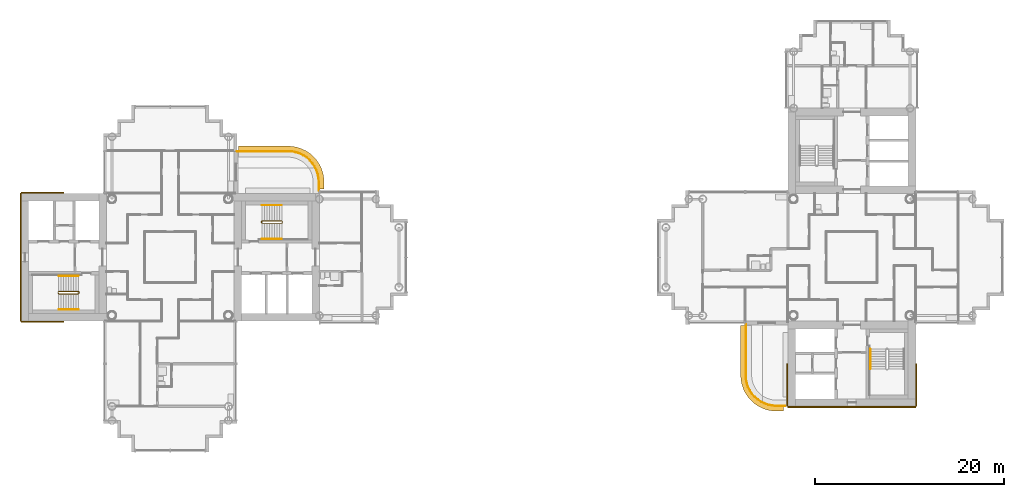
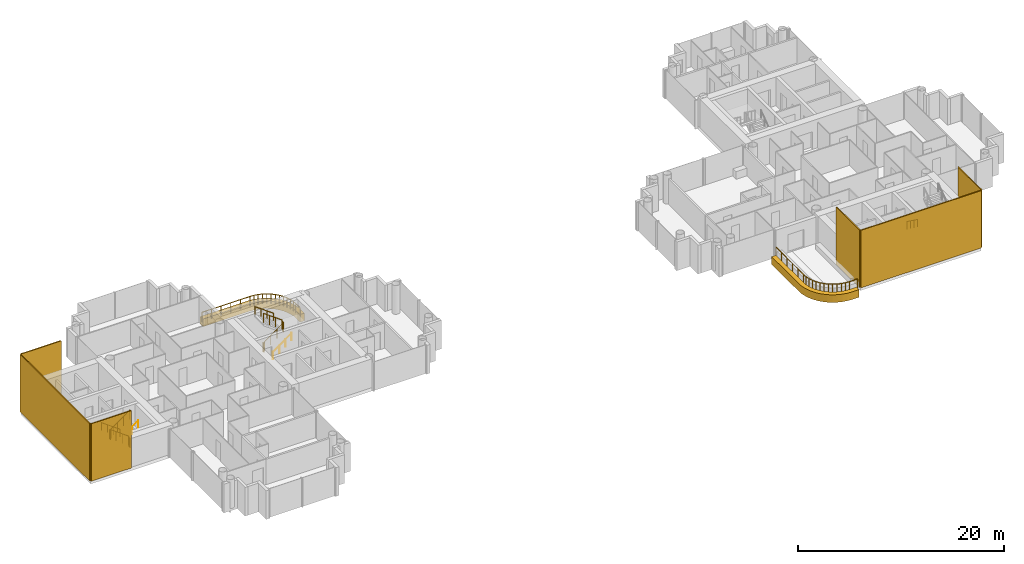
# One storey, part 17 of 19: 9 railings, 8 coverings.
"""IFC4 building model written with IfcOpenShell, lengths in metres."""

from ifc_helpers import new_model, si_unit, direction, frame, origin, origin_2d, place, context, subcontext, project, spatial, polyline, rectangle, circle, outline, extrude, material, layer, layer_set, type_object, element, save


model = new_model("IFC4")

# Units and contexts
model_context = context("Model", 3, precision=1e-05, world=origin(), true_north=direction((0.0, 1.0)))
body_context = subcontext(model_context, "Body", "Model", "MODEL_VIEW")
ifc_project = project(units=[si_unit("LENGTHUNIT", "METRE"), si_unit("AREAUNIT", "SQUARE_METRE"), si_unit("VOLUMEUNIT", "CUBIC_METRE"), si_unit("PLANEANGLEUNIT", "RADIAN"), si_unit("MASSUNIT", "GRAM", prefix="KILO")], contexts=[model_context])

# Site, building, storey
site_placement = place(None, origin())
site = spatial("IfcSite", under=ifc_project, at=site_placement, CompositionType="ELEMENT")
building_placement = place(site_placement, origin())
building = spatial("IfcBuilding", under=site, at=building_placement, Name="Ipe Terrace Towers", CompositionType="ELEMENT")
storey_placement = place(building_placement, frame((0.0, 0.0, 147.300048828125)))
storey = spatial("IfcBuildingStorey", under=building, at=storey_placement, Name="L40", CompositionType="ELEMENT", Elevation=147.300048828125)

# Railings
ifc_material_1 = material(Name="Stainless steel S316", Category="steel")
railing_type_1 = type_object("IfcRailingType", Name="GUARD 1100", PredefinedType="BALUSTRADE", material=ifc_material_1)
railing_1_placement = place(storey_placement, frame((-20.300048828125, 7.070068359375, -0.02001953125)))
element("IfcRailing", 1, at=railing_1_placement, inside=storey, type_object=railing_type_1, Name="guard", PredefinedType="BALUSTRADE", context=body_context, shape_type="SweptSolid", body=[
    extrude(circle(Radius=0.02392578125, at=origin_2d()), frame((0.0, 0.0, 1.076171875), z_axis=(0.0, 1.0, 0.0), x_axis=(-1.0, 0.0, 0.0)), (0.0, 0.0, 1.0), 0.8779296875),
    extrude(circle(Radius=0.02392578125, at=origin_2d()), frame((0.0, 0.8779296875, 1.076171875), z_axis=(-0.065190546171, 0.997872833927, 0.0), x_axis=(-0.997872833927, -0.065190546171, 0.0)), (0.0, 0.0, 1.0), 0.427001953125),
    extrude(circle(Radius=0.02392578125, at=origin_2d()), frame((-0.02783203125, 1.303955078125, 1.076171875), z_axis=(-0.195232649896, 0.980756958892, 0.0), x_axis=(-0.980756958892, -0.195232649896, 0.0)), (0.0, 0.0, 1.0), 0.42529296875),
    extrude(circle(Radius=0.02392578125, at=origin_2d()), frame((-0.11083984375, 1.720947265625, 1.076171875), z_axis=(-0.320184280026, 0.947355280148, 0.0), x_axis=(-0.947355280148, -0.320184280026, 0.0)), (0.0, 0.0, 1.0), 0.425537109375),
    extrude(circle(Radius=0.02392578125, at=origin_2d()), frame((-0.2470703125, 2.1240234375, 1.076171875), z_axis=(-0.444455160923, 0.895801099535, 0.0), x_axis=(-0.895801099535, -0.444455160923, 0.0)), (0.0, 0.0, 1.0), 0.425048828125),
    extrude(circle(Radius=0.02392578125, at=origin_2d()), frame((-0.43603515625, 2.5048828125, 1.076171875), z_axis=(-0.55549616226, 0.83151910003, 0.0), x_axis=(-0.83151910003, -0.55549616226, 0.0)), (0.0, 0.0, 1.0), 0.424560546875),
    extrude(circle(Radius=0.02392578125, at=origin_2d()), frame((-0.671875, 2.85791015625, 1.076171875), z_axis=(-0.658463964434, 0.752612255774, 0.0), x_axis=(-0.752612255774, -0.658463964434, 0.0)), (0.0, 0.0, 1.0), 0.42529296875),
    extrude(circle(Radius=0.02392578125, at=origin_2d()), frame((-0.951904296875, 3.177978515625, 1.076171875), z_axis=(-0.752612255774, 0.658463964434, 0.0), x_axis=(-0.658463964434, -0.752612255774, 0.0)), (0.0, 0.0, 1.0), 0.42529296875),
    extrude(circle(Radius=0.02392578125, at=origin_2d()), frame((-1.27197265625, 3.4580078125, 1.076171875), z_axis=(-0.83151910003, 0.55549616226, 0.0), x_axis=(-0.55549616226, -0.83151910003, 0.0)), (0.0, 0.0, 1.0), 0.424560546875),
    extrude(circle(Radius=0.02392578125, at=origin_2d()), frame((-1.625, 3.69384765625, 1.076171875), z_axis=(-0.895801099535, 0.444455160923, 0.0), x_axis=(-0.444455160923, -0.895801099535, 0.0)), (0.0, 0.0, 1.0), 0.425048828125),
    extrude(circle(Radius=0.02392578125, at=origin_2d()), frame((-2.005859375, 3.8828125, 1.076171875), z_axis=(-0.947355280148, 0.320184280026, 0.0), x_axis=(-0.320184280026, -0.947355280148, 0.0)), (0.0, 0.0, 1.0), 0.425537109375),
    extrude(circle(Radius=0.02392578125, at=origin_2d()), frame((-2.408935546875, 4.01904296875, 1.076171875), z_axis=(-0.980756958892, 0.195232649896, 0.0), x_axis=(-0.195232649896, -0.980756958892, 0.0)), (0.0, 0.0, 1.0), 0.42529296875),
    extrude(circle(Radius=0.02392578125, at=origin_2d()), frame((-2.825927734375, 4.10205078125, 1.076171875), z_axis=(-0.997872833927, 0.065190546171, 0.0), x_axis=(-0.065190546171, -0.997872833927, 0.0)), (0.0, 0.0, 1.0), 0.427001953125),
    extrude(circle(Radius=0.02392578125, at=origin_2d()), frame((-3.251953125, 4.1298828125, 1.076171875), z_axis=(-1.0, 0.0, 0.0), x_axis=(0.0, -1.0, 0.0)), (0.0, 0.0, 1.0), 5.3779296875),
    extrude(circle(Radius=0.02099609375, at=origin_2d()), origin(), (0.0, 0.0, 1.0), 1.052001953125),
    extrude(circle(Radius=0.02099609375, at=origin_2d()), frame((0.0, 0.8779296875, 0.0)), (0.0, 0.0, 1.0), 1.052001953125),
    extrude(circle(Radius=0.02099609375, at=origin_2d()), frame((-0.02783203125, 1.303955078125, 0.0)), (0.0, 0.0, 1.0), 1.052001953125),
    extrude(circle(Radius=0.02099609375, at=origin_2d()), frame((-0.11083984375, 1.720947265625, 0.0)), (0.0, 0.0, 1.0), 1.052001953125),
    extrude(circle(Radius=0.02099609375, at=origin_2d()), frame((-0.2470703125, 2.1240234375, 0.0)), (0.0, 0.0, 1.0), 1.052001953125),
    extrude(circle(Radius=0.02099609375, at=origin_2d()), frame((-0.43603515625, 2.5048828125, 0.0)), (0.0, 0.0, 1.0), 1.052001953125),
    extrude(circle(Radius=0.02099609375, at=origin_2d()), frame((-0.671875, 2.85791015625, 0.0)), (0.0, 0.0, 1.0), 1.052001953125),
    extrude(circle(Radius=0.02099609375, at=origin_2d()), frame((-0.951904296875, 3.177978515625, 0.0)), (0.0, 0.0, 1.0), 1.052001953125),
    extrude(circle(Radius=0.02099609375, at=origin_2d()), frame((-1.27197265625, 3.4580078125, 0.0)), (0.0, 0.0, 1.0), 1.052001953125),
    extrude(circle(Radius=0.02099609375, at=origin_2d()), frame((-1.625, 3.69384765625, 0.0)), (0.0, 0.0, 1.0), 1.052001953125),
    extrude(circle(Radius=0.02099609375, at=origin_2d()), frame((-2.005859375, 3.8828125, 0.0)), (0.0, 0.0, 1.0), 1.052001953125),
    extrude(circle(Radius=0.02099609375, at=origin_2d()), frame((-2.408935546875, 4.01904296875, 0.0)), (0.0, 0.0, 1.0), 1.052001953125),
    extrude(circle(Radius=0.02099609375, at=origin_2d()), frame((-2.825927734375, 4.10205078125, 0.0)), (0.0, 0.0, 1.0), 1.052001953125),
    extrude(circle(Radius=0.02099609375, at=origin_2d()), frame((-3.251953125, 4.1298828125, 0.0)), (0.0, 0.0, 1.0), 1.052001953125),
    extrude(circle(Radius=0.02099609375, at=origin_2d()), frame((-4.32763671875, 4.1298828125, 0.0)), (0.0, 0.0, 1.0), 1.052001953125),
    extrude(circle(Radius=0.02099609375, at=origin_2d()), frame((-5.403076171875, 4.1298828125, 0.0)), (0.0, 0.0, 1.0), 1.052001953125),
    extrude(circle(Radius=0.02099609375, at=origin_2d()), frame((-6.478759765625, 4.1298828125, 0.0)), (0.0, 0.0, 1.0), 1.052001953125),
    extrude(circle(Radius=0.02099609375, at=origin_2d()), frame((-7.55419921875, 4.1298828125, 0.0)), (0.0, 0.0, 1.0), 1.052001953125),
    extrude(circle(Radius=0.02099609375, at=origin_2d()), frame((-8.6298828125, 4.1298828125, 0.0)), (0.0, 0.0, 1.0), 1.052001953125),
])
railing_2_placement = place(storey_placement, frame((24.800048828125, -7.070068359375, -0.02001953125)))
element("IfcRailing", 2, at=railing_2_placement, inside=storey, type_object=railing_type_1, Name="guard", PredefinedType="BALUSTRADE", context=body_context, shape_type="SweptSolid", body=[
    extrude(circle(Radius=0.02392578125, at=origin_2d()), frame((0.0, 0.0, 1.076171875), z_axis=(0.0, -1.0, 0.0), x_axis=(1.0, 0.0, 0.0)), (0.0, 0.0, 1.0), 5.3779296875),
    extrude(circle(Radius=0.02392578125, at=origin_2d()), frame((0.0, -5.3779296875, 1.076171875), z_axis=(0.065190546171, -0.997872833927, 0.0), x_axis=(0.997872833927, 0.065190546171, 0.0)), (0.0, 0.0, 1.0), 0.427001953125),
    extrude(circle(Radius=0.02392578125, at=origin_2d()), frame((0.02783203125, -5.803955078125, 1.076171875), z_axis=(0.195232649896, -0.980756958892, 0.0), x_axis=(0.980756958892, 0.195232649896, 0.0)), (0.0, 0.0, 1.0), 0.42529296875),
    extrude(circle(Radius=0.02392578125, at=origin_2d()), frame((0.11083984375, -6.220947265625, 1.076171875), z_axis=(0.320184280026, -0.947355280148, 0.0), x_axis=(0.947355280148, 0.320184280026, 0.0)), (0.0, 0.0, 1.0), 0.425537109375),
    extrude(circle(Radius=0.02392578125, at=origin_2d()), frame((0.2470703125, -6.6240234375, 1.076171875), z_axis=(0.444455160923, -0.895801099535, 0.0), x_axis=(0.895801099535, 0.444455160923, 0.0)), (0.0, 0.0, 1.0), 0.425048828125),
    extrude(circle(Radius=0.02392578125, at=origin_2d()), frame((0.43603515625, -7.0048828125, 1.076171875), z_axis=(0.55549616226, -0.83151910003, 0.0), x_axis=(0.83151910003, 0.55549616226, 0.0)), (0.0, 0.0, 1.0), 0.424560546875),
    extrude(circle(Radius=0.02392578125, at=origin_2d()), frame((0.671875, -7.35791015625, 1.076171875), z_axis=(0.658463964434, -0.752612255774, 0.0), x_axis=(0.752612255774, 0.658463964434, 0.0)), (0.0, 0.0, 1.0), 0.42529296875),
    extrude(circle(Radius=0.02392578125, at=origin_2d()), frame((0.951904296875, -7.677978515625, 1.076171875), z_axis=(0.752612255774, -0.658463964434, 0.0), x_axis=(0.658463964434, 0.752612255774, 0.0)), (0.0, 0.0, 1.0), 0.42529296875),
    extrude(circle(Radius=0.02392578125, at=origin_2d()), frame((1.27197265625, -7.9580078125, 1.076171875), z_axis=(0.83151910003, -0.55549616226, 0.0), x_axis=(0.55549616226, 0.83151910003, 0.0)), (0.0, 0.0, 1.0), 0.424560546875),
    extrude(circle(Radius=0.02392578125, at=origin_2d()), frame((1.625, -8.19384765625, 1.076171875), z_axis=(0.895801099535, -0.444455160923, 0.0), x_axis=(0.444455160923, 0.895801099535, 0.0)), (0.0, 0.0, 1.0), 0.425048828125),
    extrude(circle(Radius=0.02392578125, at=origin_2d()), frame((2.005859375, -8.3828125, 1.076171875), z_axis=(0.947355280148, -0.320184280026, 0.0), x_axis=(0.320184280026, 0.947355280148, 0.0)), (0.0, 0.0, 1.0), 0.425537109375),
    extrude(circle(Radius=0.02392578125, at=origin_2d()), frame((2.408935546875, -8.51904296875, 1.076171875), z_axis=(0.980756958892, -0.195232649896, 0.0), x_axis=(0.195232649896, 0.980756958892, 0.0)), (0.0, 0.0, 1.0), 0.42529296875),
    extrude(circle(Radius=0.02392578125, at=origin_2d()), frame((2.825927734375, -8.60205078125, 1.076171875), z_axis=(0.997872833927, -0.065190546171, 0.0), x_axis=(0.065190546171, 0.997872833927, 0.0)), (0.0, 0.0, 1.0), 0.427001953125),
    extrude(circle(Radius=0.02392578125, at=origin_2d()), frame((3.251953125, -8.6298828125, 1.076171875), z_axis=(1.0, 0.0, 0.0), x_axis=(0.0, 1.0, 0.0)), (0.0, 0.0, 1.0), 0.8779296875),
    extrude(circle(Radius=0.02099609375, at=origin_2d()), origin(), (0.0, 0.0, 1.0), 1.052001953125),
    extrude(circle(Radius=0.02099609375, at=origin_2d()), frame((0.0, -1.07568359375, 0.0)), (0.0, 0.0, 1.0), 1.052001953125),
    extrude(circle(Radius=0.02099609375, at=origin_2d()), frame((0.0, -2.151123046875, 0.0)), (0.0, 0.0, 1.0), 1.052001953125),
    extrude(circle(Radius=0.02099609375, at=origin_2d()), frame((0.0, -3.226806640625, 0.0)), (0.0, 0.0, 1.0), 1.052001953125),
    extrude(circle(Radius=0.02099609375, at=origin_2d()), frame((0.0, -4.30224609375, 0.0)), (0.0, 0.0, 1.0), 1.052001953125),
    extrude(circle(Radius=0.02099609375, at=origin_2d()), frame((0.0, -5.3779296875, 0.0)), (0.0, 0.0, 1.0), 1.052001953125),
    extrude(circle(Radius=0.02099609375, at=origin_2d()), frame((0.02783203125, -5.803955078125, 0.0)), (0.0, 0.0, 1.0), 1.052001953125),
    extrude(circle(Radius=0.02099609375, at=origin_2d()), frame((0.11083984375, -6.220947265625, 0.0)), (0.0, 0.0, 1.0), 1.052001953125),
    extrude(circle(Radius=0.02099609375, at=origin_2d()), frame((0.2470703125, -6.6240234375, 0.0)), (0.0, 0.0, 1.0), 1.052001953125),
    extrude(circle(Radius=0.02099609375, at=origin_2d()), frame((0.43603515625, -7.0048828125, 0.0)), (0.0, 0.0, 1.0), 1.052001953125),
    extrude(circle(Radius=0.02099609375, at=origin_2d()), frame((0.671875, -7.35791015625, 0.0)), (0.0, 0.0, 1.0), 1.052001953125),
    extrude(circle(Radius=0.02099609375, at=origin_2d()), frame((0.951904296875, -7.677978515625, 0.0)), (0.0, 0.0, 1.0), 1.052001953125),
    extrude(circle(Radius=0.02099609375, at=origin_2d()), frame((1.27197265625, -7.9580078125, 0.0)), (0.0, 0.0, 1.0), 1.052001953125),
    extrude(circle(Radius=0.02099609375, at=origin_2d()), frame((1.625, -8.19384765625, 0.0)), (0.0, 0.0, 1.0), 1.052001953125),
    extrude(circle(Radius=0.02099609375, at=origin_2d()), frame((2.005859375, -8.3828125, 0.0)), (0.0, 0.0, 1.0), 1.052001953125),
    extrude(circle(Radius=0.02099609375, at=origin_2d()), frame((2.408935546875, -8.51904296875, 0.0)), (0.0, 0.0, 1.0), 1.052001953125),
    extrude(circle(Radius=0.02099609375, at=origin_2d()), frame((2.825927734375, -8.60205078125, 0.0)), (0.0, 0.0, 1.0), 1.052001953125),
    extrude(circle(Radius=0.02099609375, at=origin_2d()), frame((3.251953125, -8.6298828125, 0.0)), (0.0, 0.0, 1.0), 1.052001953125),
    extrude(circle(Radius=0.02099609375, at=origin_2d()), frame((4.1298828125, -8.6298828125, 0.0)), (0.0, 0.0, 1.0), 1.052001953125),
])

# Coverings
ifc_material_2 = material(Name="Concrete C50/60 precast, buff finish", Category="concrete")
ifc_layer_1 = layer(ifc_material_2, 0.1201171875)
ifc_layer_set_1 = layer_set([ifc_layer_1], Name="STONE CORE CLADDING 120")
covering_type_1 = type_object("IfcCoveringType", Name="STONE CORE CLADDING 120", PredefinedType="CLADDING", material=ifc_layer_set_1)
covering_1_placement = place(storey_placement, frame((-49.5, -6.81005859375, 0.0), z_axis=(0.0, 0.0, 1.0), x_axis=(1.0, 0.0, 0.0)))
element("IfcCovering", 3, at=covering_1_placement, inside=storey, type_object=covering_type_1, Name="stone core cladding", PredefinedType="CLADDING", context=body_context, shape_type="SweptSolid", body=[
    extrude(rectangle(XDim=4.5, YDim=0.1201171875, at=origin_2d()), origin(), (0.0, 0.0, 1.0), 6.800048828125),
])
covering_2_placement = place(storey_placement, frame((-51.81005859375, 0.0, 0.0), z_axis=(0.0, 0.0, 1.0), x_axis=(0.0, -1.0, 0.0)))
element("IfcCovering", 4, at=covering_2_placement, inside=storey, type_object=covering_type_1, Name="stone core cladding", PredefinedType="CLADDING", context=body_context, shape_type="SweptSolid", body=[
    extrude(rectangle(XDim=13.5, YDim=0.1201171875, at=origin_2d()), origin(), (0.0, 0.0, 1.0), 6.800048828125),
])
covering_3_placement = place(storey_placement, frame((-49.5, 6.81005859375, 0.0), z_axis=(0.0, 0.0, 1.0), x_axis=(-1.0, 0.0, 0.0)))
element("IfcCovering", 5, at=covering_3_placement, inside=storey, type_object=covering_type_1, Name="stone core cladding", PredefinedType="CLADDING", context=body_context, shape_type="SweptSolid", body=[
    extrude(rectangle(XDim=4.5, YDim=0.1201171875, at=origin_2d()), origin(), (0.0, 0.0, 1.0), 6.800048828125),
])
covering_4_placement = place(storey_placement, frame((36.0, -15.81005859375, 0.0), z_axis=(0.0, 0.0, 1.0), x_axis=(1.0, 0.0, 0.0)))
element("IfcCovering", 6, at=covering_4_placement, inside=storey, type_object=covering_type_1, Name="stone core cladding", PredefinedType="CLADDING", context=body_context, shape_type="SweptSolid", body=[
    extrude(rectangle(XDim=13.5, YDim=0.1201171875, at=origin_2d()), origin(), (0.0, 0.0, 1.0), 6.800048828125),
])
for number, where, z_axis, x_axis, name in (
    (7, (29.18994140625, -13.5, 0.0), (0.0, 0.0, 1.0), (0.0, -1.0, 0.0), "stone core cladding"),
    (8, (42.81005859375, -13.5, 0.0), (0.0, 0.0, 1.0), (0.0, 1.0, 0.0), "stone core cladding"),
):
    element("IfcCovering", number, at=place(storey_placement, frame(where, z_axis=z_axis, x_axis=x_axis)), inside=storey, type_object=covering_type_1, Name=name, PredefinedType="CLADDING", context=body_context, shape_type="SweptSolid", body=[
        extrude(rectangle(XDim=4.5, YDim=0.1201171875, at=origin_2d()), origin(), (0.0, 0.0, 1.0), 6.800048828125),
    ])
ifc_material_3 = material(Name="Concrete C50/60 precast, buff finish", Category="concrete")
ifc_layer_2 = layer(ifc_material_3, 0.5)
ifc_layer_set_2 = layer_set([ifc_layer_2], Name="STONE EDGE BAND 500 x 900")
covering_type_2 = type_object("IfcCoveringType", Name="STONE EDGE BAND 500 x 900", PredefinedType="CLADDING", material=ifc_layer_set_2)
covering_5_placement = place(storey_placement, frame((0.0, 0.0, -0.719970703125)))
element("IfcCovering", 9, at=covering_5_placement, inside=storey, type_object=covering_type_2, Name="stone edge band", PredefinedType="CLADDING", context=body_context, shape_type="SweptSolid", body=[
    extrude(outline(polyline([(-23.550048828125, 11.75), (-28.800048828125, 11.75), (-28.800048828125, 11.25), (-23.550048828125, 11.25), (-23.118896484375, 11.221923828125), (-22.696044921875, 11.137939453125), (-22.287109375, 10.9990234375), (-21.89990234375, 10.80810546875), (-21.541015625, 10.568115234375), (-21.217041015625, 10.282958984375), (-20.931884765625, 9.958984375), (-20.69189453125, 9.60009765625), (-20.5009765625, 9.212890625), (-20.362060546875, 8.803955078125), (-20.278076171875, 8.381103515625), (-20.25, 7.949951171875), (-20.25, 7.199951171875), (-19.75, 7.199951171875), (-19.75, 7.949951171875), (-19.7509765625, 7.98291015625), (-19.779052734375, 8.4130859375), (-19.7880859375, 8.47802734375), (-19.8720703125, 8.902099609375), (-19.888916015625, 8.965087890625), (-20.028076171875, 9.3740234375), (-20.052978515625, 9.43408203125), (-20.243896484375, 9.821044921875), (-20.27587890625, 9.8779296875), (-20.51611328125, 10.237060546875), (-20.555908203125, 10.2890625), (-20.841064453125, 10.613037109375), (-20.886962890625, 10.658935546875), (-21.2109375, 10.944091796875), (-21.262939453125, 10.98388671875), (-21.6220703125, 11.22412109375), (-21.678955078125, 11.256103515625), (-22.06591796875, 11.447021484375), (-22.1259765625, 11.471923828125), (-22.534912109375, 11.611083984375), (-22.597900390625, 11.6279296875), (-23.02197265625, 11.7119140625), (-23.0869140625, 11.720947265625), (-23.51708984375, 11.7490234375), (-23.550048828125, 11.75)])), origin(), (0.0, 0.0, 1.0), 0.89990234375),
])
covering_6_placement = place(storey_placement, frame((0.0, 0.0, -0.719970703125)))
element("IfcCovering", 10, at=covering_6_placement, inside=storey, type_object=covering_type_2, Name="stone edge band", PredefinedType="CLADDING", context=body_context, shape_type="SweptSolid", body=[
    extrude(outline(polyline([(24.25, -12.449951171875), (24.2509765625, -12.48291015625), (24.279052734375, -12.9130859375), (24.2880859375, -12.97802734375), (24.3720703125, -13.402099609375), (24.388916015625, -13.465087890625), (24.528076171875, -13.8740234375), (24.552978515625, -13.93408203125), (24.743896484375, -14.321044921875), (24.77587890625, -14.3779296875), (25.01611328125, -14.737060546875), (25.055908203125, -14.7890625), (25.341064453125, -15.113037109375), (25.386962890625, -15.158935546875), (25.7109375, -15.444091796875), (25.762939453125, -15.48388671875), (26.1220703125, -15.72412109375), (26.178955078125, -15.756103515625), (26.56591796875, -15.947021484375), (26.6259765625, -15.971923828125), (27.034912109375, -16.111083984375), (27.097900390625, -16.1279296875), (27.52197265625, -16.2119140625), (27.5869140625, -16.220947265625), (28.01708984375, -16.2490234375), (28.050048828125, -16.25), (28.800048828125, -16.25), (28.800048828125, -15.75), (28.050048828125, -15.75), (27.618896484375, -15.721923828125), (27.196044921875, -15.637939453125), (26.787109375, -15.4990234375), (26.39990234375, -15.30810546875), (26.041015625, -15.068115234375), (25.717041015625, -14.782958984375), (25.431884765625, -14.458984375), (25.19189453125, -14.10009765625), (25.0009765625, -13.712890625), (24.862060546875, -13.303955078125), (24.778076171875, -12.881103515625), (24.75, -12.449951171875), (24.75, -7.199951171875), (24.25, -7.199951171875), (24.25, -12.449951171875)])), origin(), (0.0, 0.0, 1.0), 0.89990234375),
])

# Railings
ifc_material_4 = material(Name="Steel S355", Category="steel")
railing_type_2 = type_object("IfcRailingType", Name="Stair guard 1100", PredefinedType="GUARDRAIL", material=ifc_material_4)
railing_3_placement = place(storey_placement, frame((-26.35009765625, 3.800048828125, 0.0)))
element("IfcRailing", 11, at=railing_3_placement, inside=storey, type_object=railing_type_2, Name="L40 T1-ST1 stair guard 1", PredefinedType="GUARDRAIL", context=body_context, shape_type="SweptSolid", body=[
    extrude(circle(Radius=0.02392578125, at=origin_2d()), frame((0.0, 0.0, 1.076171875), z_axis=(0.0, -1.0, 0.0), x_axis=(1.0, 0.0, 0.0)), (0.0, 0.0, 1.0), 0.150146484375),
    extrude(circle(Radius=0.02392578125, at=origin_2d()), frame((0.0, -0.150146484375, 1.076171875), z_axis=(0.248385422981, -0.247173786771, 0.936594790069), x_axis=(0.705375805398, 0.708833529934, 0.0)), (0.0, 0.0, 1.0), 0.201416015625),
    extrude(circle(Radius=0.02392578125, at=origin_2d()), frame((0.050048828125, -0.199951171875, 1.2646484375), z_axis=(0.809023421508, 0.0, 0.587776406001), x_axis=(0.0, 1.0, 0.0)), (0.0, 0.0, 1.0), 2.571044921875),
    extrude(circle(Radius=0.02392578125, at=origin_2d()), frame((2.130126953125, -0.199951171875, 2.77587890625), z_axis=(0.708833529934, 0.705375805398, 0.0), x_axis=(-0.705375805398, 0.708833529934, 0.0)), (0.0, 0.0, 1.0), 0.070556640625),
    extrude(circle(Radius=0.02392578125, at=origin_2d()), frame((2.18017578125, -0.150146484375, 2.77587890625), z_axis=(0.0, 1.0, 0.0), x_axis=(-1.0, 0.0, 0.0)), (0.0, 0.0, 1.0), 0.150146484375),
    extrude(circle(Radius=0.02392578125, at=origin_2d()), frame((2.18017578125, 0.0, 2.77587890625), z_axis=(-0.248029566107, 0.248029566107, 0.936462849596), x_axis=(-0.707106781187, -0.707106781187, 0.0)), (0.0, 0.0, 1.0), 0.201904296875),
    extrude(circle(Radius=0.02392578125, at=origin_2d()), frame((2.130126953125, 0.050048828125, 2.96484375), z_axis=(-0.809068575486, 0.0, 0.587714250432), x_axis=(0.0, -1.0, 0.0)), (0.0, 0.0, 1.0), 2.571044921875),
    extrude(circle(Radius=0.02099609375, at=origin_2d()), origin(), (0.0, 0.0, 1.0), 1.052001953125),
    extrude(circle(Radius=0.02099609375, at=origin_2d()), frame((0.0, -0.150146484375, 0.0)), (0.0, 0.0, 1.0), 1.052001953125),
    extrude(circle(Radius=0.02099609375, at=origin_2d()), frame((0.050048828125, -0.199951171875, 0.188720703125)), (0.0, 0.0, 1.0), 1.052001953125),
    extrude(circle(Radius=0.02099609375, at=origin_2d()), frame((0.743408203125, -0.199951171875, 0.6923828125)), (0.0, 0.0, 1.0), 1.052001953125),
    extrude(circle(Radius=0.02099609375, at=origin_2d()), frame((1.436767578125, -0.199951171875, 1.1962890625)), (0.0, 0.0, 1.0), 1.052001953125),
    extrude(circle(Radius=0.02099609375, at=origin_2d()), frame((2.130126953125, -0.199951171875, 1.699951171875)), (0.0, 0.0, 1.0), 1.052001953125),
    extrude(circle(Radius=0.02099609375, at=origin_2d()), frame((2.18017578125, -0.150146484375, 1.699951171875)), (0.0, 0.0, 1.0), 1.052001953125),
    extrude(circle(Radius=0.02099609375, at=origin_2d()), frame((2.18017578125, 0.0, 1.699951171875)), (0.0, 0.0, 1.0), 1.052001953125),
    extrude(circle(Radius=0.02099609375, at=origin_2d()), frame((2.130126953125, 0.050048828125, 1.888916015625)), (0.0, 0.0, 1.0), 1.052001953125),
    extrude(circle(Radius=0.02099609375, at=origin_2d()), frame((1.436767578125, 0.050048828125, 2.392578125)), (0.0, 0.0, 1.0), 1.052001953125),
    extrude(circle(Radius=0.02099609375, at=origin_2d()), frame((0.743408203125, 0.050048828125, 2.896240234375)), (0.0, 0.0, 1.0), 1.052001953125),
    extrude(circle(Radius=0.02099609375, at=origin_2d()), frame((0.050048828125, 0.050048828125, 3.39990234375)), (0.0, 0.0, 1.0), 1.052001953125),
])
railing_4_placement = place(storey_placement, frame((-45.64990234375, -3.800048828125, 0.0)))
element("IfcRailing", 12, at=railing_4_placement, inside=storey, type_object=railing_type_2, Name="L40 T1-ST2 stair guard 1", PredefinedType="GUARDRAIL", context=body_context, shape_type="SweptSolid", body=[
    extrude(circle(Radius=0.02392578125, at=origin_2d()), frame((0.0, 0.0, 1.076171875), z_axis=(0.0, 1.0, 0.0), x_axis=(-1.0, 0.0, 0.0)), (0.0, 0.0, 1.0), 0.150146484375),
    extrude(circle(Radius=0.02392578125, at=origin_2d()), frame((0.0, 0.150146484375, 1.076171875), z_axis=(-0.248385422981, 0.247173786771, 0.936594790069), x_axis=(-0.705375805398, -0.708833529934, 0.0)), (0.0, 0.0, 1.0), 0.201416015625),
    extrude(circle(Radius=0.02392578125, at=origin_2d()), frame((-0.050048828125, 0.199951171875, 1.2646484375), z_axis=(-0.809023421508, 0.0, 0.587776406001), x_axis=(0.0, -1.0, 0.0)), (0.0, 0.0, 1.0), 2.571044921875),
    extrude(circle(Radius=0.02392578125, at=origin_2d()), frame((-2.130126953125, 0.199951171875, 2.77587890625), z_axis=(-0.708833529934, -0.705375805398, 0.0), x_axis=(0.705375805398, -0.708833529934, 0.0)), (0.0, 0.0, 1.0), 0.070556640625),
    extrude(circle(Radius=0.02392578125, at=origin_2d()), frame((-2.18017578125, 0.150146484375, 2.77587890625), z_axis=(0.0, -1.0, 0.0), x_axis=(1.0, 0.0, 0.0)), (0.0, 0.0, 1.0), 0.150146484375),
    extrude(circle(Radius=0.02392578125, at=origin_2d()), frame((-2.18017578125, 0.0, 2.77587890625), z_axis=(0.248029566107, -0.248029566107, 0.936462849596), x_axis=(0.707106781187, 0.707106781187, 0.0)), (0.0, 0.0, 1.0), 0.201904296875),
    extrude(circle(Radius=0.02392578125, at=origin_2d()), frame((-2.130126953125, -0.050048828125, 2.96484375), z_axis=(0.809068575486, 0.0, 0.587714250432), x_axis=(0.0, 1.0, 0.0)), (0.0, 0.0, 1.0), 2.571044921875),
    extrude(circle(Radius=0.02099609375, at=origin_2d()), origin(), (0.0, 0.0, 1.0), 1.052001953125),
    extrude(circle(Radius=0.02099609375, at=origin_2d()), frame((0.0, 0.150146484375, 0.0)), (0.0, 0.0, 1.0), 1.052001953125),
    extrude(circle(Radius=0.02099609375, at=origin_2d()), frame((-0.050048828125, 0.199951171875, 0.188720703125)), (0.0, 0.0, 1.0), 1.052001953125),
    extrude(circle(Radius=0.02099609375, at=origin_2d()), frame((-0.743408203125, 0.199951171875, 0.6923828125)), (0.0, 0.0, 1.0), 1.052001953125),
    extrude(circle(Radius=0.02099609375, at=origin_2d()), frame((-1.436767578125, 0.199951171875, 1.1962890625)), (0.0, 0.0, 1.0), 1.052001953125),
    extrude(circle(Radius=0.02099609375, at=origin_2d()), frame((-2.130126953125, 0.199951171875, 1.699951171875)), (0.0, 0.0, 1.0), 1.052001953125),
    extrude(circle(Radius=0.02099609375, at=origin_2d()), frame((-2.18017578125, 0.150146484375, 1.699951171875)), (0.0, 0.0, 1.0), 1.052001953125),
    extrude(circle(Radius=0.02099609375, at=origin_2d()), frame((-2.18017578125, 0.0, 1.699951171875)), (0.0, 0.0, 1.0), 1.052001953125),
    extrude(circle(Radius=0.02099609375, at=origin_2d()), frame((-2.130126953125, -0.050048828125, 1.888916015625)), (0.0, 0.0, 1.0), 1.052001953125),
    extrude(circle(Radius=0.02099609375, at=origin_2d()), frame((-1.436767578125, -0.050048828125, 2.392578125)), (0.0, 0.0, 1.0), 1.052001953125),
    extrude(circle(Radius=0.02099609375, at=origin_2d()), frame((-0.743408203125, -0.050048828125, 2.896240234375)), (0.0, 0.0, 1.0), 1.052001953125),
    extrude(circle(Radius=0.02099609375, at=origin_2d()), frame((-0.050048828125, -0.050048828125, 3.39990234375)), (0.0, 0.0, 1.0), 1.052001953125),
])
ifc_material_5 = material(Name="Stainless steel grade 304", Category="steel")
railing_type_3 = type_object("IfcRailingType", Name="Stair handrail 900", PredefinedType="HANDRAIL", material=ifc_material_5)
railing_5_placement = place(storey_placement, frame((-26.300048828125, 1.949951171875, 0.188720703125)))
element("IfcRailing", 13, at=railing_5_placement, inside=storey, type_object=railing_type_3, Name="L40 T1-ST1 stair handrail 1", PredefinedType="HANDRAIL", context=body_context, shape_type="SweptSolid", body=[
    extrude(circle(Radius=0.02392578125, at=origin_2d()), frame((0.0, 0.0, 0.8759765625), z_axis=(0.809023421508, 0.0, 0.587776406001), x_axis=(0.0, 1.0, 0.0)), (0.0, 0.0, 1.0), 2.571044921875),
    extrude(circle(Radius=0.02099609375, at=origin_2d()), origin(), (0.0, 0.0, 1.0), 0.851806640625),
    extrude(circle(Radius=0.02099609375, at=origin_2d()), frame((0.693359375, 0.0, 0.503662109375)), (0.0, 0.0, 1.0), 0.851806640625),
    extrude(circle(Radius=0.02099609375, at=origin_2d()), frame((1.38671875, 0.0, 1.007568359375)), (0.0, 0.0, 1.0), 0.851806640625),
    extrude(circle(Radius=0.02099609375, at=origin_2d()), frame((2.080078125, 0.0, 1.51123046875)), (0.0, 0.0, 1.0), 0.851806640625),
])
railing_6_placement = place(storey_placement, frame((-24.219970703125, 5.5, 1.888916015625)))
element("IfcRailing", 14, at=railing_6_placement, inside=storey, type_object=railing_type_3, Name="L40 T1-ST1 stair handrail 2", PredefinedType="HANDRAIL", context=body_context, shape_type="SweptSolid", body=[
    extrude(circle(Radius=0.02392578125, at=origin_2d()), frame((0.0, 0.0, 0.8759765625), z_axis=(-0.809068575486, 0.0, 0.587714250432), x_axis=(0.0, -1.0, 0.0)), (0.0, 0.0, 1.0), 2.571044921875),
    extrude(circle(Radius=0.02099609375, at=origin_2d()), origin(), (0.0, 0.0, 1.0), 0.851806640625),
    extrude(circle(Radius=0.02099609375, at=origin_2d()), frame((-0.693359375, 0.0, 0.503662109375)), (0.0, 0.0, 1.0), 0.851806640625),
    extrude(circle(Radius=0.02099609375, at=origin_2d()), frame((-1.38671875, 0.0, 1.00732421875)), (0.0, 0.0, 1.0), 0.851806640625),
    extrude(circle(Radius=0.02099609375, at=origin_2d()), frame((-2.080078125, 0.0, 1.510986328125)), (0.0, 0.0, 1.0), 0.851806640625),
])
railing_7_placement = place(storey_placement, frame((-45.699951171875, -1.949951171875, 0.188720703125)))
element("IfcRailing", 15, at=railing_7_placement, inside=storey, type_object=railing_type_3, Name="L40 T1-ST2 stair handrail 1", PredefinedType="HANDRAIL", context=body_context, shape_type="SweptSolid", body=[
    extrude(circle(Radius=0.02392578125, at=origin_2d()), frame((0.0, 0.0, 0.8759765625), z_axis=(-0.809023421508, 0.0, 0.587776406001), x_axis=(0.0, -1.0, 0.0)), (0.0, 0.0, 1.0), 2.571044921875),
    extrude(circle(Radius=0.02099609375, at=origin_2d()), origin(), (0.0, 0.0, 1.0), 0.851806640625),
    extrude(circle(Radius=0.02099609375, at=origin_2d()), frame((-0.693359375, 0.0, 0.503662109375)), (0.0, 0.0, 1.0), 0.851806640625),
    extrude(circle(Radius=0.02099609375, at=origin_2d()), frame((-1.38671875, 0.0, 1.007568359375)), (0.0, 0.0, 1.0), 0.851806640625),
    extrude(circle(Radius=0.02099609375, at=origin_2d()), frame((-2.080078125, 0.0, 1.51123046875)), (0.0, 0.0, 1.0), 0.851806640625),
])
railing_8_placement = place(storey_placement, frame((-47.780029296875, -5.5, 1.888916015625)))
element("IfcRailing", 16, at=railing_8_placement, inside=storey, type_object=railing_type_3, Name="L40 T1-ST2 stair handrail 2", PredefinedType="HANDRAIL", context=body_context, shape_type="SweptSolid", body=[
    extrude(circle(Radius=0.02392578125, at=origin_2d()), frame((0.0, 0.0, 0.8759765625), z_axis=(0.809068575486, 0.0, 0.587714250432), x_axis=(0.0, 1.0, 0.0)), (0.0, 0.0, 1.0), 2.571044921875),
    extrude(circle(Radius=0.02099609375, at=origin_2d()), origin(), (0.0, 0.0, 1.0), 0.851806640625),
    extrude(circle(Radius=0.02099609375, at=origin_2d()), frame((0.693359375, 0.0, 0.503662109375)), (0.0, 0.0, 1.0), 0.851806640625),
    extrude(circle(Radius=0.02099609375, at=origin_2d()), frame((1.38671875, 0.0, 1.00732421875)), (0.0, 0.0, 1.0), 0.851806640625),
    extrude(circle(Radius=0.02099609375, at=origin_2d()), frame((2.080078125, 0.0, 1.510986328125)), (0.0, 0.0, 1.0), 0.851806640625),
])
railing_9_placement = place(storey_placement, frame((37.949951171875, -9.699951171875, 0.188720703125)))
element("IfcRailing", 17, at=railing_9_placement, inside=storey, type_object=railing_type_3, Name="L40 T2-ST2 stair handrail 1", PredefinedType="HANDRAIL", context=body_context, shape_type="SweptSolid", body=[
    extrude(circle(Radius=0.02392578125, at=origin_2d()), frame((0.0, 0.0, 0.8759765625), z_axis=(0.0, -0.809023421508, 0.587776406001), x_axis=(1.0, 0.0, 0.0)), (0.0, 0.0, 1.0), 2.571044921875),
    extrude(circle(Radius=0.02099609375, at=origin_2d()), origin(), (0.0, 0.0, 1.0), 0.851806640625),
    extrude(circle(Radius=0.02099609375, at=origin_2d()), frame((0.0, -0.693359375, 0.503662109375)), (0.0, 0.0, 1.0), 0.851806640625),
    extrude(circle(Radius=0.02099609375, at=origin_2d()), frame((0.0, -1.38671875, 1.007568359375)), (0.0, 0.0, 1.0), 0.851806640625),
    extrude(circle(Radius=0.02099609375, at=origin_2d()), frame((0.0, -2.080078125, 1.51123046875)), (0.0, 0.0, 1.0), 0.851806640625),
])

save(model, "model.ifc")
